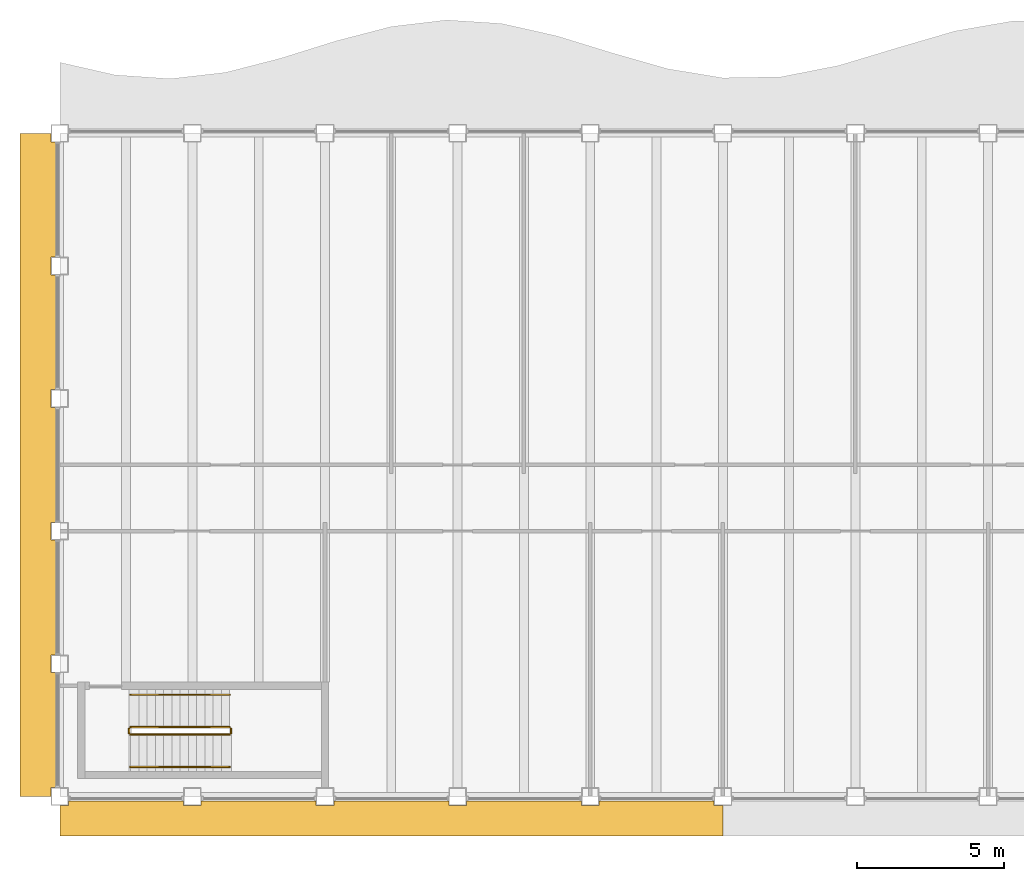
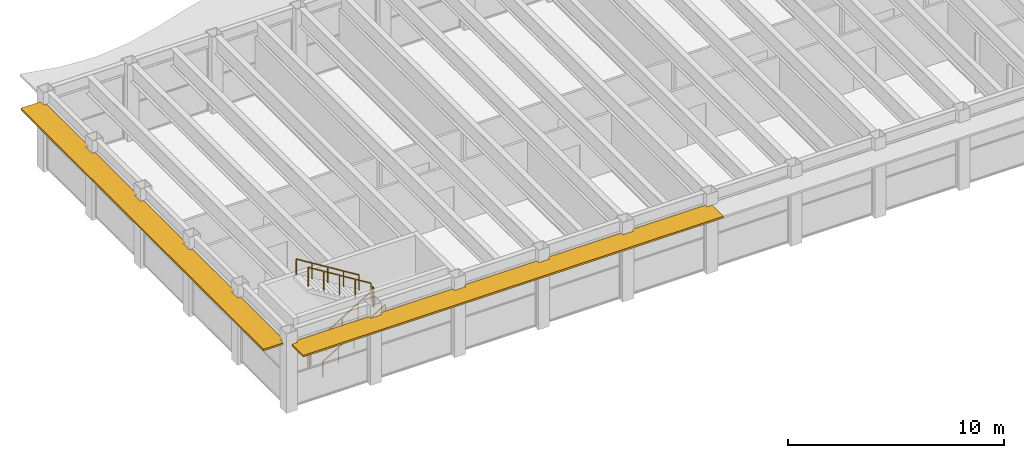
# One storey, part 12 of 14: 6 railings, 2 shading devices.
"""IFC4 building model written with IfcOpenShell, lengths in metres."""

from ifc_helpers import new_model, si_unit, direction, frame, origin, origin_2d, place, context, subcontext, project, spatial, polyline, rectangle, outline, extrude, material, layer, layer_set, type_object, element, save


model = new_model("IFC4")

# Units and contexts
model_context = context("Model", 3, precision=1e-05, world=origin(), true_north=direction((0.0, 1.0)))
body_context = subcontext(model_context, "Body", "Model", "MODEL_VIEW")
ifc_project = project(units=[si_unit("LENGTHUNIT", "METRE"), si_unit("AREAUNIT", "SQUARE_METRE"), si_unit("VOLUMEUNIT", "CUBIC_METRE"), si_unit("PLANEANGLEUNIT", "RADIAN"), si_unit("MASSUNIT", "GRAM", prefix="KILO")], contexts=[model_context])

# Site, building, storey
site_placement = place(None, origin())
site = spatial("IfcSite", under=ifc_project, at=site_placement, CompositionType="ELEMENT")
building_placement = place(site_placement, origin())
building = spatial("IfcBuilding", under=site, at=building_placement, Name="Sennacour Bend Tower", CompositionType="ELEMENT")
storey_placement = place(building_placement, frame((0.0, 0.0, 309.5)))
storey = spatial("IfcBuildingStorey", under=building, at=storey_placement, Name="L71", CompositionType="ELEMENT", Elevation=309.5)

# Railings
ifc_material_1 = material(Name="Stainless steel", Category="steel")
railing_type_1 = type_object("IfcRailingType", Name="RL-GUARD-1100", PredefinedType="GUARDRAIL", material=ifc_material_1)
railing_1_placement = place(storey_placement, frame((2.39990234375, 2.10009765625, 0.173095703125)))
element("IfcRailing", 1, at=railing_1_placement, inside=storey, type_object=railing_type_1, Name="L71 SK1 stair guard 1", PredefinedType="GUARDRAIL", context=body_context, shape_type="SweptSolid", body=[
    extrude(rectangle(XDim=0.048095703125, YDim=0.048095703125, at=origin_2d()), frame((0.0, 0.0, 1.076171875), z_axis=(0.850623216509, 0.0, 0.525775754039), x_axis=(0.0, 1.0, 0.0)), (0.0, 0.0, 1.0), 3.9501953125),
    extrude(rectangle(XDim=0.0419921875, YDim=0.0419921875, at=origin_2d()), origin(), (0.0, 0.0, 1.0), 1.052001953125),
    extrude(rectangle(XDim=0.0419921875, YDim=0.0419921875, at=origin_2d()), frame((0.840087890625, 0.0, 0.519287109375)), (0.0, 0.0, 1.0), 1.052001953125),
    extrude(rectangle(XDim=0.0419921875, YDim=0.0419921875, at=origin_2d()), frame((1.68017578125, 0.0, 1.03857421875)), (0.0, 0.0, 1.0), 1.052001953125),
    extrude(rectangle(XDim=0.0419921875, YDim=0.0419921875, at=origin_2d()), frame((2.52001953125, 0.0, 1.5576171875)), (0.0, 0.0, 1.0), 1.052001953125),
    extrude(rectangle(XDim=0.0419921875, YDim=0.0419921875, at=origin_2d()), frame((3.360107421875, 0.0, 2.076904296875)), (0.0, 0.0, 1.0), 1.052001953125),
])
railing_2_placement = place(storey_placement, frame((5.81005859375, 2.14990234375, 2.25)))
element("IfcRailing", 2, at=railing_2_placement, inside=storey, type_object=railing_type_1, Name="L71 SK1 stair guard 2", PredefinedType="GUARDRAIL", context=body_context, shape_type="SweptSolid", body=[
    extrude(rectangle(XDim=0.048095703125, YDim=0.048095703125, at=origin_2d()), frame((0.0, 0.0, 1.076171875), z_axis=(0.0, 1.0, 0.0), x_axis=(-1.0, 0.0, 0.0)), (0.0, 0.0, 1.0), 0.150146484375),
    extrude(rectangle(XDim=0.0419921875, YDim=0.0419921875, at=origin_2d()), origin(), (0.0, 0.0, 1.0), 1.052001953125),
    extrude(rectangle(XDim=0.0419921875, YDim=0.0419921875, at=origin_2d()), frame((0.0, 0.150146484375, 0.0)), (0.0, 0.0, 1.0), 1.052001953125),
])
railing_3_placement = place(storey_placement, frame((5.760009765625, 2.35009765625, 2.423095703125)))
element("IfcRailing", 3, at=railing_3_placement, inside=storey, type_object=railing_type_1, Name="L71 SK1 stair guard 3", PredefinedType="GUARDRAIL", context=body_context, shape_type="SweptSolid", body=[
    extrude(rectangle(XDim=0.048095703125, YDim=0.048095703125, at=origin_2d()), frame((0.0, 0.0, 1.076171875), z_axis=(-0.850623216509, 0.0, 0.525775754039), x_axis=(0.0, -1.0, 0.0)), (0.0, 0.0, 1.0), 3.9501953125),
    extrude(rectangle(XDim=0.0419921875, YDim=0.0419921875, at=origin_2d()), origin(), (0.0, 0.0, 1.0), 1.052001953125),
    extrude(rectangle(XDim=0.0419921875, YDim=0.0419921875, at=origin_2d()), frame((-0.840087890625, 0.0, 0.519287109375)), (0.0, 0.0, 1.0), 1.052001953125),
    extrude(rectangle(XDim=0.0419921875, YDim=0.0419921875, at=origin_2d()), frame((-1.68017578125, 0.0, 1.03857421875)), (0.0, 0.0, 1.0), 1.052001953125),
    extrude(rectangle(XDim=0.0419921875, YDim=0.0419921875, at=origin_2d()), frame((-2.52001953125, 0.0, 1.5576171875)), (0.0, 0.0, 1.0), 1.052001953125),
    extrude(rectangle(XDim=0.0419921875, YDim=0.0419921875, at=origin_2d()), frame((-3.360107421875, 0.0, 2.076904296875)), (0.0, 0.0, 1.0), 1.052001953125),
])
railing_4_placement = place(storey_placement, frame((2.35009765625, 2.14990234375, 0.0)))
element("IfcRailing", 4, at=railing_4_placement, inside=storey, type_object=railing_type_1, Name="L71 SK1 stair guard 4", PredefinedType="GUARDRAIL", context=body_context, shape_type="SweptSolid", body=[
    extrude(rectangle(XDim=0.048095703125, YDim=0.048095703125, at=origin_2d()), frame((0.0, 0.0, 1.076171875), z_axis=(0.0, 1.0, 0.0), x_axis=(-1.0, 0.0, 0.0)), (0.0, 0.0, 1.0), 0.150146484375),
    extrude(rectangle(XDim=0.0419921875, YDim=0.0419921875, at=origin_2d()), origin(), (0.0, 0.0, 1.0), 1.052001953125),
    extrude(rectangle(XDim=0.0419921875, YDim=0.0419921875, at=origin_2d()), frame((0.0, 0.150146484375, 0.0)), (0.0, 0.0, 1.0), 1.052001953125),
])
railing_type_2 = type_object("IfcRailingType", Name="RL-HANDRAIL-900", PredefinedType="HANDRAIL", material=ifc_material_1)
railing_5_placement = place(storey_placement, frame((2.39990234375, 1.0, 0.173095703125)))
element("IfcRailing", 5, at=railing_5_placement, inside=storey, type_object=railing_type_2, Name="L71 SK1 stair handrail 1", PredefinedType="HANDRAIL", context=body_context, shape_type="SweptSolid", body=[
    extrude(rectangle(XDim=0.048095703125, YDim=0.048095703125, at=origin_2d()), frame((0.0, 0.0, 0.8759765625), z_axis=(0.850623216509, 0.0, 0.525775754039), x_axis=(0.0, 1.0, 0.0)), (0.0, 0.0, 1.0), 3.9501953125),
    extrude(rectangle(XDim=0.0419921875, YDim=0.0419921875, at=origin_2d()), origin(), (0.0, 0.0, 1.0), 0.851806640625),
    extrude(rectangle(XDim=0.0419921875, YDim=0.0419921875, at=origin_2d()), frame((0.840087890625, 0.0, 0.519287109375)), (0.0, 0.0, 1.0), 0.851806640625),
    extrude(rectangle(XDim=0.0419921875, YDim=0.0419921875, at=origin_2d()), frame((1.68017578125, 0.0, 1.03857421875)), (0.0, 0.0, 1.0), 0.851806640625),
    extrude(rectangle(XDim=0.0419921875, YDim=0.0419921875, at=origin_2d()), frame((2.52001953125, 0.0, 1.5576171875)), (0.0, 0.0, 1.0), 0.851806640625),
    extrude(rectangle(XDim=0.0419921875, YDim=0.0419921875, at=origin_2d()), frame((3.360107421875, 0.0, 2.076904296875)), (0.0, 0.0, 1.0), 0.851806640625),
])
railing_6_placement = place(storey_placement, frame((5.760009765625, 3.449951171875, 2.423095703125)))
element("IfcRailing", 6, at=railing_6_placement, inside=storey, type_object=railing_type_2, Name="L71 SK1 stair handrail 2", PredefinedType="HANDRAIL", context=body_context, shape_type="SweptSolid", body=[
    extrude(rectangle(XDim=0.048095703125, YDim=0.048095703125, at=origin_2d()), frame((0.0, 0.0, 0.8759765625), z_axis=(-0.850623216509, 0.0, 0.525775754039), x_axis=(0.0, -1.0, 0.0)), (0.0, 0.0, 1.0), 3.9501953125),
    extrude(rectangle(XDim=0.0419921875, YDim=0.0419921875, at=origin_2d()), origin(), (0.0, 0.0, 1.0), 0.851806640625),
    extrude(rectangle(XDim=0.0419921875, YDim=0.0419921875, at=origin_2d()), frame((-0.840087890625, 0.0, 0.519287109375)), (0.0, 0.0, 1.0), 0.851806640625),
    extrude(rectangle(XDim=0.0419921875, YDim=0.0419921875, at=origin_2d()), frame((-1.68017578125, 0.0, 1.03857421875)), (0.0, 0.0, 1.0), 0.851806640625),
    extrude(rectangle(XDim=0.0419921875, YDim=0.0419921875, at=origin_2d()), frame((-2.52001953125, 0.0, 1.5576171875)), (0.0, 0.0, 1.0), 0.851806640625),
    extrude(rectangle(XDim=0.0419921875, YDim=0.0419921875, at=origin_2d()), frame((-3.360107421875, 0.0, 2.076904296875)), (0.0, 0.0, 1.0), 0.851806640625),
])

# Shading devices
ifc_material_2 = material(Name="Bronze anodised aluminium", Category="aluminium")
ifc_layer = layer(ifc_material_2, 0.10009765625, Name="Bronze anodised aluminium", Category="aluminium")
ifc_layer_set = layer_set([ifc_layer], Name="Bronze anodised aluminium")
shading_device_type = type_object("IfcShadingDeviceType", Name="SUNSHADE BAND STRAIGHT", PredefinedType="USERDEFINED", material=ifc_layer_set)
shading_device_1_placement = place(storey_placement, frame((0.0, 0.0, 3.572021484375)))
element("IfcShadingDevice", 7, at=shading_device_1_placement, inside=storey, type_object=shading_device_type, Name="Sunshade band L71 K outer face", ObjectType="SUNSHADE", PredefinedType="USERDEFINED", context=body_context, shape_type="SweptSolid", body=[
    extrude(outline(polyline([(4.199951171875, -0.14990234375), (4.199951171875, -0.300048828125), (4.800048828125, -0.300048828125), (4.800048828125, -0.14990234375), (8.699951171875, -0.14990234375), (8.699951171875, -0.300048828125), (9.300048828125, -0.300048828125), (9.300048828125, -0.14990234375), (13.199951171875, -0.14990234375), (13.199951171875, -0.300048828125), (13.800048828125, -0.300048828125), (13.800048828125, -0.14990234375), (17.699951171875, -0.14990234375), (17.699951171875, -0.300048828125), (18.300048828125, -0.300048828125), (18.300048828125, -0.14990234375), (22.199951171875, -0.14990234375), (22.199951171875, -0.300048828125), (22.5, -0.300048828125), (22.5, -1.35009765625), (0.0, -1.35009765625), (0.0, -0.300048828125), (0.300048828125, -0.300048828125), (0.300048828125, -0.14990234375), (4.199951171875, -0.14990234375)])), origin(), (0.0, 0.0, 1.0), 0.10009765625),
])
shading_device_2_placement = place(storey_placement, frame((0.0, 0.0, 3.572021484375)))
element("IfcShadingDevice", 8, at=shading_device_2_placement, inside=storey, type_object=shading_device_type, Name="Sunshade band L71 K outer face", ObjectType="SUNSHADE", PredefinedType="USERDEFINED", context=body_context, shape_type="SweptSolid", body=[
    extrude(outline(polyline([(-0.14990234375, 18.300048828125), (-0.300048828125, 18.300048828125), (-0.300048828125, 17.699951171875), (-0.14990234375, 17.699951171875), (-0.14990234375, 13.800048828125), (-0.300048828125, 13.800048828125), (-0.300048828125, 13.199951171875), (-0.14990234375, 13.199951171875), (-0.14990234375, 9.300048828125), (-0.300048828125, 9.300048828125), (-0.300048828125, 8.699951171875), (-0.14990234375, 8.699951171875), (-0.14990234375, 4.800048828125), (-0.300048828125, 4.800048828125), (-0.300048828125, 4.199951171875), (-0.14990234375, 4.199951171875), (-0.14990234375, 0.300048828125), (-0.300048828125, 0.300048828125), (-0.300048828125, 0.0), (-1.35009765625, 0.0), (-1.35009765625, 22.5), (-0.300048828125, 22.5), (-0.300048828125, 22.199951171875), (-0.14990234375, 22.199951171875), (-0.14990234375, 18.300048828125)])), origin(), (0.0, 0.0, 1.0), 0.10009765625),
])

save(model, "model.ifc")
